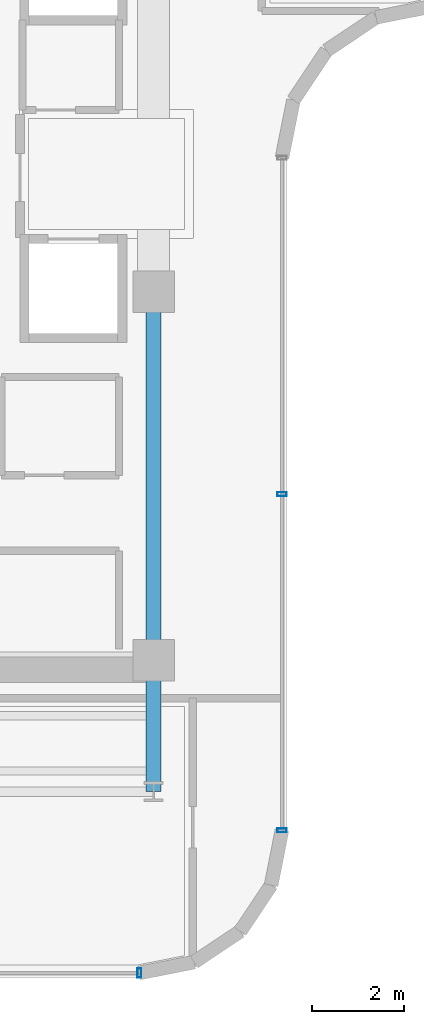
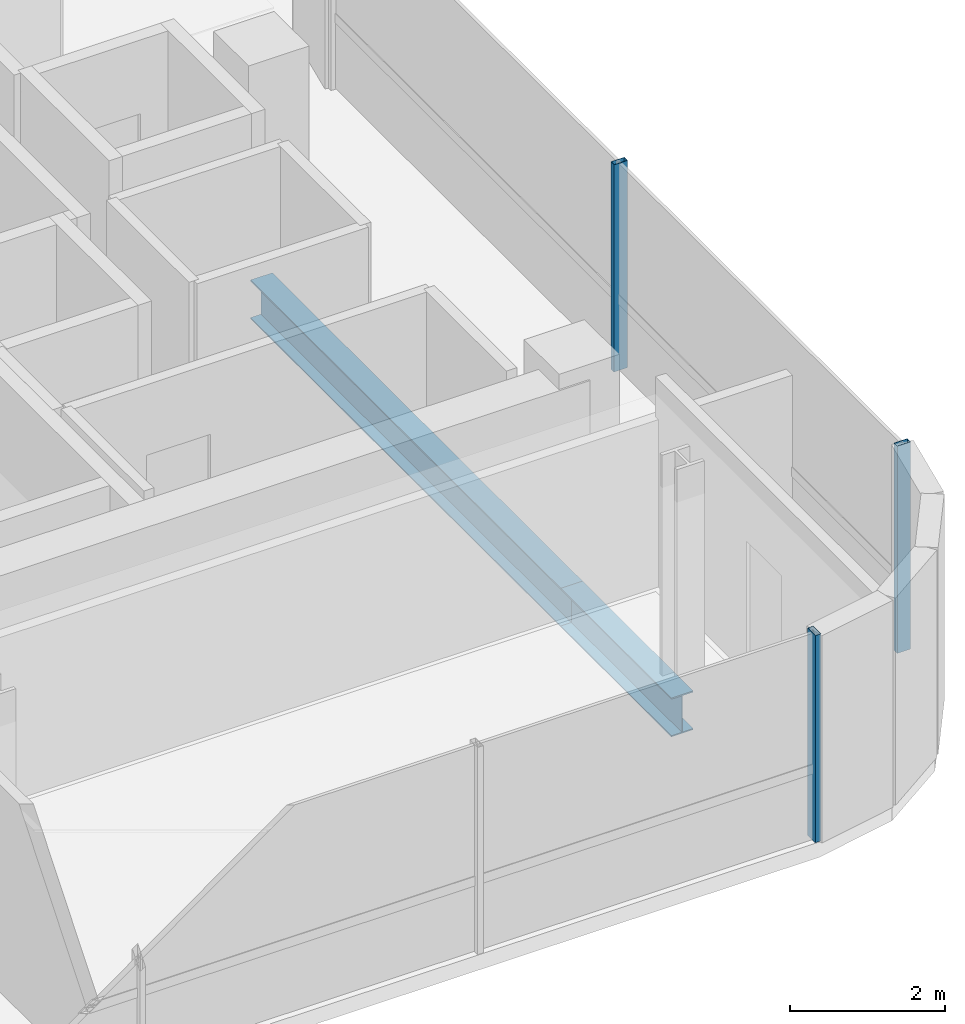
# One storey, part 5 of 22: 3 members, 2 beams, 2 elements without a shape of their own.
"""IFC4 building model written with IfcOpenShell, lengths in metres."""

from ifc_helpers import new_model, si_unit, direction, frame, origin, origin_2d, place, context, subcontext, project, spatial, hollow_rectangle, i_section, extrude, source, transform, mapped, material, material_profile, profile_set, type_object, element, aggregate, save


model = new_model("IFC4")

# Units and contexts
model_context = context("Model", 3, precision=1e-05, world=origin(), true_north=direction((0.0, 1.0)))
body_context = subcontext(model_context, "Body", "Model", "MODEL_VIEW")
ifc_project = project(units=[si_unit("LENGTHUNIT", "METRE"), si_unit("AREAUNIT", "SQUARE_METRE"), si_unit("VOLUMEUNIT", "CUBIC_METRE"), si_unit("PLANEANGLEUNIT", "RADIAN"), si_unit("MASSUNIT", "GRAM", prefix="KILO")], contexts=[model_context])

# Site, building, storey
site_placement = place(None, origin())
site = spatial("IfcSite", under=ifc_project, at=site_placement, CompositionType="ELEMENT")
building_placement = place(site_placement, origin())
building = spatial("IfcBuilding", under=site, at=building_placement, Name="Valdorenza Pilgrim Sanctuary Tower", CompositionType="ELEMENT")
storey_placement = place(building_placement, frame((0.0, 0.0, 233.5)))
storey = spatial("IfcBuildingStorey", under=building, at=storey_placement, Name="L60", CompositionType="ELEMENT", Elevation=233.5)

# Beams
ifc_material_1 = material(Name="Steel ASTM A992 Grade 50", Category="steel")
ifc_material_profile_1 = material_profile(ifc_material_1, i_section(OverallWidth=0.323974609375, OverallDepth=0.611083984375, WebThickness=0.0126953125, FlangeThickness=0.01904296875, at=origin_2d()), Name="W24X104")
ifc_profile_set_1 = profile_set([ifc_material_profile_1], Name="Steel ASTM A992 Grade 50")
beam_type = type_object("IfcBeamType", Name="STR-BM-GRD-W24B", PredefinedType="BEAM", material=ifc_profile_set_1)
shared_shape_1 = source(origin(), body_context, "Body", "SweptSolid", [
    extrude(i_section(OverallWidth=0.323974609375, OverallDepth=0.611083984375, WebThickness=0.0126953125, FlangeThickness=0.01904296875, at=origin_2d()), origin(), (0.0, 0.0, 1.0), 8.0),
])
beam_1_placement = place(storey_placement, frame((-12.39990234375, -10.60009765625, -0.54541015625), z_axis=(0.0, 1.0, 0.0), x_axis=(-1.0, 0.0, 0.0)))
element("IfcBeam", 1, at=beam_1_placement, inside=storey, type_object=beam_type, Name="L60 Core Tie Girder CA-E-S1M0", PredefinedType="BEAM", context=body_context, shape_type="MappedRepresentation", body=[
    mapped(shared_shape_1, transform((0.0, 0.0, 0.0), x_axis=(1.0, 0.0, 0.0), y_axis=(0.0, 1.0, 0.0), z_axis=(0.0, 0.0, 1.0), scale=1.0)),
])
shared_shape_2 = source(origin(), body_context, "Body", "SweptSolid", [
    extrude(i_section(OverallWidth=0.323974609375, OverallDepth=0.611083984375, WebThickness=0.0126953125, FlangeThickness=0.01904296875, at=origin_2d()), origin(), (0.0, 0.0, 1.0), 2.849853515625),
])
beam_2_placement = place(storey_placement, frame((-12.39990234375, -13.449951171875, -0.54541015625), z_axis=(0.0, 1.0, 0.0), x_axis=(-1.0, 0.0, 0.0)))
element("IfcBeam", 2, at=beam_2_placement, inside=storey, type_object=beam_type, Name="L60 Floor Girder WA-S-LE", PredefinedType="BEAM", context=body_context, shape_type="MappedRepresentation", body=[
    mapped(shared_shape_2, transform((0.0, 0.0, 0.0), x_axis=(1.0, 0.0, 0.0), y_axis=(0.0, 1.0, 0.0), z_axis=(0.0, 0.0, 1.0), scale=1.0)),
])

# Curtain wall, members
ifc_material_2 = material(Name="Curtain-wall IGU glazing", Category="glass")
curtain_wall_type = type_object("IfcCurtainWallType", Name="CW-SYS-02", PredefinedType="NOTDEFINED", material=ifc_material_2)
curtain_wall_1_placement = place(storey_placement, origin())
curtain_wall_1 = element("IfcCurtainWall", 3, at=curtain_wall_1_placement, inside=storey, type_object=curtain_wall_type, Name="L60 Curtain Wall CW-L60-1-21", PredefinedType="NOTDEFINED")
ifc_material_3 = material(Name="Anodised aluminium AW-6060", Category="aluminium")
ifc_material_profile_2 = material_profile(ifc_material_3, hollow_rectangle(XDim=0.0849609375, YDim=0.199951171875, WallThickness=0.0048828125, at=origin_2d()), Name="ALU-M 200x85x5")
ifc_profile_set_2 = profile_set([ifc_material_profile_2], Name="Anodised aluminium AW-6060")
member_type = type_object("IfcMemberType", Name="CW-MUL-02", PredefinedType="MULLION", material=ifc_profile_set_2)
shared_shape_3 = source(origin(), body_context, "Body", "SweptSolid", [
    extrude(hollow_rectangle(XDim=0.0849609375, YDim=0.199951171875, WallThickness=0.0048828125, at=origin_2d()), origin(), (0.0, 0.0, 1.0), 3.260009765625),
])
member_1_placement = place(storey_placement, frame((-9.610107421875, -6.9892578125, 0.0), z_axis=(0.0, 0.0, 1.0), x_axis=(0.0, -1.0, 0.0)))
member_1 = element("IfcMember", 4, at=member_1_placement, type_object=member_type, Name="CW-L60-1-21 Mullion 2", PredefinedType="MULLION", context=body_context, shape_type="MappedRepresentation", body=[
    mapped(shared_shape_3, transform((0.0, 0.0, 0.0), x_axis=(1.0, 0.0, 0.0), y_axis=(0.0, 1.0, 0.0), z_axis=(0.0, 0.0, 1.0), scale=1.0)),
])
member_2_placement = place(storey_placement, frame((-9.610107421875, -14.289306640625, 0.0), z_axis=(0.0, 0.0, 1.0), x_axis=(0.0, -1.0, 0.0)))
member_2 = element("IfcMember", 5, at=member_2_placement, type_object=member_type, Name="CW-L60-1-21 Mullion 3", PredefinedType="MULLION", context=body_context, shape_type="MappedRepresentation", body=[
    mapped(shared_shape_3, transform((0.0, 0.0, 0.0), x_axis=(1.0, 0.0, 0.0), y_axis=(0.0, 1.0, 0.0), z_axis=(0.0, 0.0, 1.0), scale=1.0)),
])
aggregate(curtain_wall_1, [member_1, member_2])

# Curtain wall, member
curtain_wall_2_placement = place(storey_placement, origin())
curtain_wall_2 = element("IfcCurtainWall", 6, at=curtain_wall_2_placement, inside=storey, type_object=curtain_wall_type, Name="L60 Curtain Wall CW-L60-1-26", PredefinedType="NOTDEFINED")
member_3_placement = place(storey_placement, frame((-12.710693359375, -17.389892578125, 0.0), z_axis=(0.0, 0.0, 1.0), x_axis=(-1.0, 0.0, 0.0)))
member_3 = element("IfcMember", 7, at=member_3_placement, type_object=member_type, Name="CW-L60-1-26 Mullion 1", PredefinedType="MULLION", context=body_context, shape_type="MappedRepresentation", body=[
    mapped(shared_shape_3, transform((0.0, 0.0, 0.0), x_axis=(1.0, 0.0, 0.0), y_axis=(0.0, 1.0, 0.0), z_axis=(0.0, 0.0, 1.0), scale=1.0)),
])
aggregate(curtain_wall_2, [member_3])

save(model, "model.ifc")
